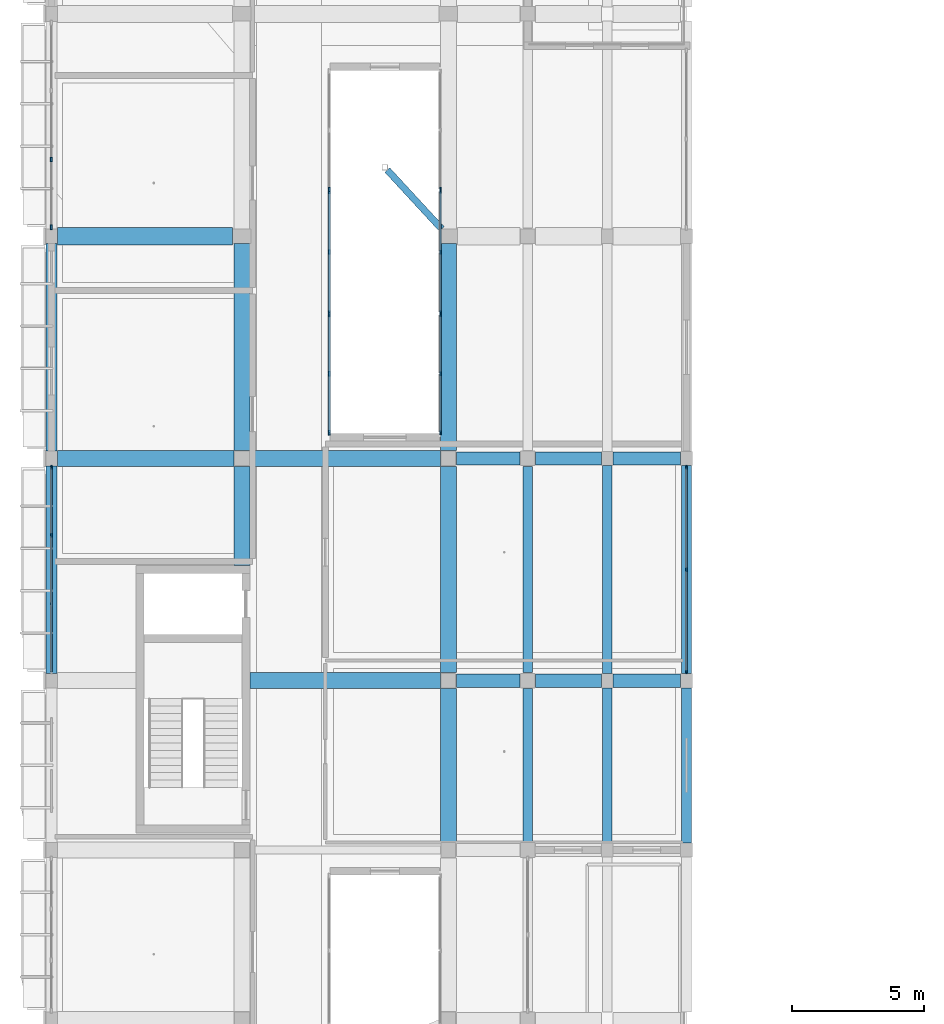
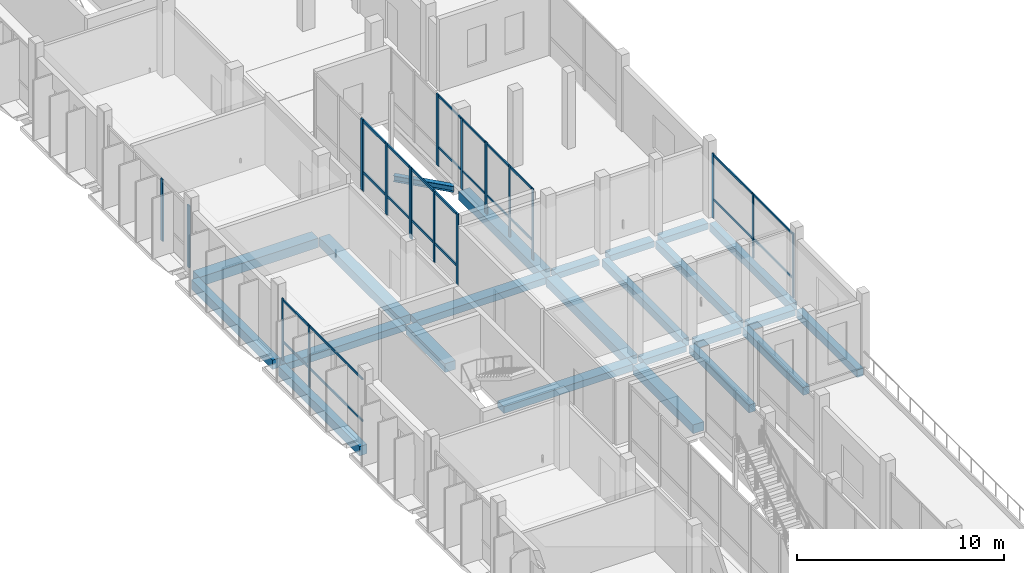
# One storey, part 21 of 95: 33 members, 24 beams, 9 elements without a shape of their own.
"""IFC4 building model written with IfcOpenShell, lengths in metres."""

from ifc_helpers import new_model, si_unit, derived_unit, direction, frame, origin, origin_2d, place, context, subcontext, project, spatial, rectangle, i_section, extrude, material, material_profile, profile_set, type_object, element, aggregate, save


model = new_model("IFC4")

# Units and contexts
model_context = context("Model", 3, precision=1e-05, world=origin(), true_north=direction((0.0, 1.0)))
body_context = subcontext(model_context, "Body", "Model", "MODEL_VIEW")
ifc_project = project(units=[si_unit("LENGTHUNIT", "METRE"), si_unit("AREAUNIT", "SQUARE_METRE"), si_unit("VOLUMEUNIT", "CUBIC_METRE"), si_unit("PLANEANGLEUNIT", "RADIAN"), si_unit("MASSUNIT", "GRAM", prefix="KILO"), derived_unit("THERMALTRANSMITTANCEUNIT", [(si_unit("POWERUNIT", "WATT"), 1), (si_unit("LENGTHUNIT", "METRE"), -2), (si_unit("THERMODYNAMICTEMPERATUREUNIT", "KELVIN"), -1)])], contexts=[model_context])

# Site, building, storey
site_placement = place(None, origin())
site = spatial("IfcSite", under=ifc_project, at=site_placement, CompositionType="ELEMENT")
building_placement = place(site_placement, origin())
building = spatial("IfcBuilding", under=site, at=building_placement, Name="Braskholm Square Health Centre", CompositionType="ELEMENT")
storey_placement = place(building_placement, frame((0.0, 0.0, 4.800048828125)))
storey = spatial("IfcBuildingStorey", under=building, at=storey_placement, Name="L02", CompositionType="ELEMENT", Elevation=4.800048828125)

# Curtain wall, members
ifc_material_1 = material(Name="Low-E triple insulating glass (VLT 0.64)", Category="glass")
curtain_wall_type_1 = type_object("IfcCurtainWallType", Name="UnitisedCurtainWall6200x3650", PredefinedType="NOTDEFINED", material=ifc_material_1)
curtain_wall_1_placement = place(storey_placement, origin())
curtain_wall_1 = element("IfcCurtainWall", 1, at=curtain_wall_1_placement, inside=storey, type_object=curtain_wall_type_1, Name="West Outer unitised curtain wall CW-L02-0010", PredefinedType="NOTDEFINED")
ifc_material_2 = material(Name="Architectural bronze anodised aluminium", Category="aluminium")
ifc_material_profile_1 = material_profile(ifc_material_2, rectangle(XDim=0.06494140625, YDim=0.14990234375, at=origin_2d()), Name="ALU-65X150")
ifc_profile_set_1 = profile_set([ifc_material_profile_1], Name="Architectural bronze anodised aluminium")
member_type_1 = type_object("IfcMemberType", Name="CurtainWallMullion65x150", PredefinedType="MULLION", material=ifc_profile_set_1)
member_1_placement = place(storey_placement, frame((4.199951171875, 63.463134765625, 0.0), z_axis=(0.0, 0.0, 1.0), x_axis=(1.0, 0.0, 0.0)))
member_1 = element("IfcMember", 2, at=member_1_placement, type_object=member_type_1, Name="CW-L02-0010 vertical mullion 1", PredefinedType="MULLION", context=body_context, shape_type="SweptSolid", body=[
    extrude(rectangle(XDim=0.06494140625, YDim=0.14990234375, at=origin_2d()), origin(), (0.0, 0.0, 1.0), 3.64990234375),
])
member_2_placement = place(storey_placement, frame((4.199951171875, 60.9033203125, 0.0), z_axis=(0.0, 0.0, 1.0), x_axis=(1.0, 0.0, 0.0)))
member_2 = element("IfcMember", 3, at=member_2_placement, type_object=member_type_1, Name="CW-L02-0010 vertical mullion 2", PredefinedType="MULLION", context=body_context, shape_type="SweptSolid", body=[
    extrude(rectangle(XDim=0.06494140625, YDim=0.14990234375, at=origin_2d()), origin(), (0.0, 0.0, 1.0), 3.64990234375),
])

curtain_wall_type_2 = type_object("IfcCurtainWallType", Name="UnitisedCurtainWall6200x3800", PredefinedType="NOTDEFINED", material=ifc_material_1)
curtain_wall_2_placement = place(storey_placement, origin())
curtain_wall_2 = element("IfcCurtainWall", 4, at=curtain_wall_2_placement, inside=storey, type_object=curtain_wall_type_2, Name="West Valley unitised curtain wall CW-L02-0088", PredefinedType="NOTDEFINED")
member_3_placement = place(storey_placement, frame((28.199951171875, 55.72705078125, 0.0), z_axis=(0.0, 0.0, 1.0), x_axis=(1.0, 0.0, 0.0)))
member_3 = element("IfcMember", 5, at=member_3_placement, type_object=member_type_1, Name="CW-L02-0088 vertical mullion 1", PredefinedType="MULLION", context=body_context, shape_type="SweptSolid", body=[
    extrude(rectangle(XDim=0.06494140625, YDim=0.14990234375, at=origin_2d()), origin(), (0.0, 0.0, 1.0), 3.7900390625),
])
member_4_placement = place(storey_placement, frame((28.199951171875, 59.60009765625, 0.0), z_axis=(0.0, 0.0, 1.0), x_axis=(1.0, 0.0, 0.0)))
member_4 = element("IfcMember", 6, at=member_4_placement, type_object=member_type_1, Name="CW-L02-0088 vertical mullion 2", PredefinedType="MULLION", context=body_context, shape_type="SweptSolid", body=[
    extrude(rectangle(XDim=0.06494140625, YDim=0.14990234375, at=origin_2d()), origin(), (0.0, 0.0, 1.0), 3.7900390625),
])
member_5_placement = place(storey_placement, frame((28.199951171875, 63.472900390625, 0.0), z_axis=(0.0, 0.0, 1.0), x_axis=(1.0, 0.0, 0.0)))
member_5 = element("IfcMember", 7, at=member_5_placement, type_object=member_type_1, Name="CW-L02-0088 vertical mullion 3", PredefinedType="MULLION", context=body_context, shape_type="SweptSolid", body=[
    extrude(rectangle(XDim=0.06494140625, YDim=0.14990234375, at=origin_2d()), origin(), (0.0, 0.0, 1.0), 3.7900390625),
])

curtain_wall_type_3 = type_object("IfcCurtainWallType", Name="UnitisedCurtainWall4800x4100", PredefinedType="NOTDEFINED", material=ifc_material_1)
curtain_wall_3_placement = place(storey_placement, origin())
curtain_wall_3 = element("IfcCurtainWall", 8, at=curtain_wall_3_placement, inside=storey, type_object=curtain_wall_type_3, Name="WC2 Court E unitised curtain wall CW-L02-0292", PredefinedType="NOTDEFINED")
member_6_placement = place(storey_placement, frame((18.89990234375, 69.23486328125, 0.0), z_axis=(0.0, 0.0, 1.0), x_axis=(1.0, 0.0, 0.0)))
member_6 = element("IfcMember", 9, at=member_6_placement, type_object=member_type_1, Name="CW-L02-0292 vertical mullion 1", PredefinedType="MULLION", context=body_context, shape_type="SweptSolid", body=[
    extrude(rectangle(XDim=0.06494140625, YDim=0.14990234375, at=origin_2d()), origin(), (0.0, 0.0, 1.0), 4.199951171875),
])
member_7_placement = place(storey_placement, frame((18.89990234375, 67.0009765625, 0.0), z_axis=(0.0, 0.0, 1.0), x_axis=(1.0, 0.0, 0.0)))
member_7 = element("IfcMember", 10, at=member_7_placement, type_object=member_type_1, Name="CW-L02-0292 vertical mullion 2", PredefinedType="MULLION", context=body_context, shape_type="SweptSolid", body=[
    extrude(rectangle(XDim=0.06494140625, YDim=0.14990234375, at=origin_2d()), origin(), (0.0, 0.0, 1.0), 4.199951171875),
])
member_8_placement = place(storey_placement, frame((18.89990234375, 64.76708984375, 0.0), z_axis=(0.0, 0.0, 1.0), x_axis=(1.0, 0.0, 0.0)))
member_8 = element("IfcMember", 11, at=member_8_placement, type_object=member_type_1, Name="CW-L02-0292 vertical mullion 3", PredefinedType="MULLION", context=body_context, shape_type="SweptSolid", body=[
    extrude(rectangle(XDim=0.06494140625, YDim=0.14990234375, at=origin_2d()), origin(), (0.0, 0.0, 1.0), 4.199951171875),
])

curtain_wall_4_placement = place(storey_placement, origin())
curtain_wall_4 = element("IfcCurtainWall", 12, at=curtain_wall_4_placement, inside=storey, type_object=curtain_wall_type_3, Name="WC2 Court E unitised curtain wall CW-L02-0294", PredefinedType="NOTDEFINED")
member_9_placement = place(storey_placement, frame((18.89990234375, 73.900146484375, 0.0), z_axis=(0.0, 0.0, 1.0), x_axis=(1.0, 0.0, 0.0)))
member_9 = element("IfcMember", 13, at=member_9_placement, type_object=member_type_1, Name="CW-L02-0294 vertical mullion 1", PredefinedType="MULLION", context=body_context, shape_type="SweptSolid", body=[
    extrude(rectangle(XDim=0.06494140625, YDim=0.14990234375, at=origin_2d()), origin(), (0.0, 0.0, 1.0), 4.199951171875),
])
member_10_placement = place(storey_placement, frame((18.89990234375, 71.60009765625, 0.0), z_axis=(0.0, 0.0, 1.0), x_axis=(1.0, 0.0, 0.0)))
member_10 = element("IfcMember", 14, at=member_10_placement, type_object=member_type_1, Name="CW-L02-0294 vertical mullion 2", PredefinedType="MULLION", context=body_context, shape_type="SweptSolid", body=[
    extrude(rectangle(XDim=0.06494140625, YDim=0.14990234375, at=origin_2d()), origin(), (0.0, 0.0, 1.0), 4.199951171875),
])
member_11_placement = place(storey_placement, frame((18.89990234375, 69.2998046875, 0.0), z_axis=(0.0, 0.0, 1.0), x_axis=(1.0, 0.0, 0.0)))
member_11 = element("IfcMember", 15, at=member_11_placement, type_object=member_type_1, Name="CW-L02-0294 vertical mullion 3", PredefinedType="MULLION", context=body_context, shape_type="SweptSolid", body=[
    extrude(rectangle(XDim=0.06494140625, YDim=0.14990234375, at=origin_2d()), origin(), (0.0, 0.0, 1.0), 4.199951171875),
])

# Curtain wall, member
curtain_wall_5_placement = place(storey_placement, origin())
curtain_wall_5 = element("IfcCurtainWall", 16, at=curtain_wall_5_placement, inside=storey, type_object=curtain_wall_type_3, Name="WC2 Court E unitised curtain wall CW-L02-0296", PredefinedType="NOTDEFINED")
member_12_placement = place(storey_placement, frame((18.89990234375, 73.965087890625, 0.0), z_axis=(0.0, 0.0, 1.0), x_axis=(1.0, 0.0, 0.0)))
member_12 = element("IfcMember", 17, at=member_12_placement, type_object=member_type_1, Name="CW-L02-0296 vertical mullion 3", PredefinedType="MULLION", context=body_context, shape_type="SweptSolid", body=[
    extrude(rectangle(XDim=0.06494140625, YDim=0.14990234375, at=origin_2d()), origin(), (0.0, 0.0, 1.0), 4.199951171875),
])
aggregate(curtain_wall_5, [member_12])

# Curtain wall, members
curtain_wall_6_placement = place(storey_placement, origin())
curtain_wall_6 = element("IfcCurtainWall", 18, at=curtain_wall_6_placement, inside=storey, type_object=curtain_wall_type_1, Name="West Outer unitised curtain wall CW-L02-0011", PredefinedType="NOTDEFINED")
ifc_material_profile_2 = material_profile(ifc_material_2, rectangle(XDim=0.074951171875, YDim=0.179931640625, at=origin_2d()), Name="ALU-75X180")
ifc_profile_set_2 = profile_set([ifc_material_profile_2], Name="Architectural bronze anodised aluminium")
member_type_2 = type_object("IfcMemberType", Name="CurtainWallMullion75x180", PredefinedType="MULLION", material=ifc_profile_set_2)
member_13_placement = place(storey_placement, frame((4.199951171875, 75.0966796875, 0.0), z_axis=(0.0, 0.0, 1.0), x_axis=(1.0, 0.0, 0.0)))
member_13 = element("IfcMember", 19, at=member_13_placement, type_object=member_type_2, Name="CW-L02-0011 vertical mullion 3", PredefinedType="MULLION", context=body_context, shape_type="SweptSolid", body=[
    extrude(rectangle(XDim=0.074951171875, YDim=0.179931640625, at=origin_2d()), origin(), (0.0, 0.0, 1.0), 3.64990234375),
])
member_14_placement = place(storey_placement, frame((4.199951171875, 72.536865234375, 0.0), z_axis=(0.0, 0.0, 1.0), x_axis=(1.0, 0.0, 0.0)))
member_14 = element("IfcMember", 20, at=member_14_placement, type_object=member_type_2, Name="CW-L02-0011 vertical mullion 4", PredefinedType="MULLION", context=body_context, shape_type="SweptSolid", body=[
    extrude(rectangle(XDim=0.074951171875, YDim=0.179931640625, at=origin_2d()), origin(), (0.0, 0.0, 1.0), 3.64990234375),
])
aggregate(curtain_wall_6, [member_13, member_14])

curtain_wall_7_placement = place(storey_placement, origin())
curtain_wall_7 = element("IfcCurtainWall", 21, at=curtain_wall_7_placement, inside=storey, type_object=curtain_wall_type_3, Name="WC2 Court W unitised curtain wall CW-L02-0291", PredefinedType="NOTDEFINED")
member_15_placement = place(storey_placement, frame((14.699951171875, 64.76708984375, 0.0), z_axis=(0.0, 0.0, 1.0), x_axis=(1.0, 0.0, 0.0)))
member_15 = element("IfcMember", 22, at=member_15_placement, type_object=member_type_2, Name="CW-L02-0291 vertical mullion 1", PredefinedType="MULLION", context=body_context, shape_type="SweptSolid", body=[
    extrude(rectangle(XDim=0.074951171875, YDim=0.179931640625, at=origin_2d()), origin(), (0.0, 0.0, 1.0), 4.199951171875),
])
member_16_placement = place(storey_placement, frame((14.699951171875, 67.0009765625, 0.0), z_axis=(0.0, 0.0, 1.0), x_axis=(1.0, 0.0, 0.0)))
member_16 = element("IfcMember", 23, at=member_16_placement, type_object=member_type_2, Name="CW-L02-0291 vertical mullion 2", PredefinedType="MULLION", context=body_context, shape_type="SweptSolid", body=[
    extrude(rectangle(XDim=0.074951171875, YDim=0.179931640625, at=origin_2d()), origin(), (0.0, 0.0, 1.0), 4.199951171875),
])
member_17_placement = place(storey_placement, frame((14.699951171875, 69.23486328125, 0.0), z_axis=(0.0, 0.0, 1.0), x_axis=(1.0, 0.0, 0.0)))
member_17 = element("IfcMember", 24, at=member_17_placement, type_object=member_type_2, Name="CW-L02-0291 vertical mullion 3", PredefinedType="MULLION", context=body_context, shape_type="SweptSolid", body=[
    extrude(rectangle(XDim=0.074951171875, YDim=0.179931640625, at=origin_2d()), origin(), (0.0, 0.0, 1.0), 4.199951171875),
])

curtain_wall_8_placement = place(storey_placement, origin())
curtain_wall_8 = element("IfcCurtainWall", 25, at=curtain_wall_8_placement, inside=storey, type_object=curtain_wall_type_3, Name="WC2 Court W unitised curtain wall CW-L02-0293", PredefinedType="NOTDEFINED")
member_18_placement = place(storey_placement, frame((14.699951171875, 69.2998046875, 0.0), z_axis=(0.0, 0.0, 1.0), x_axis=(1.0, 0.0, 0.0)))
member_18 = element("IfcMember", 26, at=member_18_placement, type_object=member_type_2, Name="CW-L02-0293 vertical mullion 1", PredefinedType="MULLION", context=body_context, shape_type="SweptSolid", body=[
    extrude(rectangle(XDim=0.074951171875, YDim=0.179931640625, at=origin_2d()), origin(), (0.0, 0.0, 1.0), 4.199951171875),
])
member_19_placement = place(storey_placement, frame((14.699951171875, 71.60009765625, 0.0), z_axis=(0.0, 0.0, 1.0), x_axis=(1.0, 0.0, 0.0)))
member_19 = element("IfcMember", 27, at=member_19_placement, type_object=member_type_2, Name="CW-L02-0293 vertical mullion 2", PredefinedType="MULLION", context=body_context, shape_type="SweptSolid", body=[
    extrude(rectangle(XDim=0.074951171875, YDim=0.179931640625, at=origin_2d()), origin(), (0.0, 0.0, 1.0), 4.199951171875),
])
member_20_placement = place(storey_placement, frame((14.699951171875, 73.900146484375, 0.0), z_axis=(0.0, 0.0, 1.0), x_axis=(1.0, 0.0, 0.0)))
member_20 = element("IfcMember", 28, at=member_20_placement, type_object=member_type_2, Name="CW-L02-0293 vertical mullion 3", PredefinedType="MULLION", context=body_context, shape_type="SweptSolid", body=[
    extrude(rectangle(XDim=0.074951171875, YDim=0.179931640625, at=origin_2d()), origin(), (0.0, 0.0, 1.0), 4.199951171875),
])

# Curtain wall, member
curtain_wall_9_placement = place(storey_placement, origin())
curtain_wall_9 = element("IfcCurtainWall", 29, at=curtain_wall_9_placement, inside=storey, type_object=curtain_wall_type_3, Name="WC2 Court W unitised curtain wall CW-L02-0295", PredefinedType="NOTDEFINED")
member_21_placement = place(storey_placement, frame((14.699951171875, 73.965087890625, 0.0), z_axis=(0.0, 0.0, 1.0), x_axis=(1.0, 0.0, 0.0)))
member_21 = element("IfcMember", 30, at=member_21_placement, type_object=member_type_2, Name="CW-L02-0295 vertical mullion 1", PredefinedType="MULLION", context=body_context, shape_type="SweptSolid", body=[
    extrude(rectangle(XDim=0.074951171875, YDim=0.179931640625, at=origin_2d()), origin(), (0.0, 0.0, 1.0), 4.199951171875),
])
aggregate(curtain_wall_9, [member_21])

# Member
ifc_material_profile_3 = material_profile(ifc_material_2, rectangle(XDim=0.06494140625, YDim=0.1201171875, at=origin_2d()), Name="ALU-65X120")
ifc_profile_set_3 = profile_set([ifc_material_profile_3], Name="Architectural bronze anodised aluminium")
member_type_3 = type_object("IfcMemberType", Name="CurtainWallTransom65x120", PredefinedType="USERDEFINED", material=ifc_profile_set_3)
member_22_placement = place(storey_placement, frame((4.199951171875, 63.465087890625, 1.119873046875), z_axis=(0.0, -1.0, 0.0), x_axis=(1.0, 0.0, 0.0)))
member_22 = element("IfcMember", 31, at=member_22_placement, type_object=member_type_3, Name="CW-L02-0010 horizontal transom 1", ObjectType="TRANSOM", PredefinedType="USERDEFINED", context=body_context, shape_type="SweptSolid", body=[
    extrude(rectangle(XDim=0.06494140625, YDim=0.1201171875, at=origin_2d()), origin(), (0.0, 0.0, 1.0), 7.72998046875),
])

member_23_placement = place(storey_placement, frame((4.199951171875, 63.465087890625, 3.579833984375), z_axis=(0.0, -1.0, 0.0), x_axis=(1.0, 0.0, 0.0)))
member_23 = element("IfcMember", 32, at=member_23_placement, type_object=member_type_3, Name="CW-L02-0010 horizontal transom 2", ObjectType="TRANSOM", PredefinedType="USERDEFINED", context=body_context, shape_type="SweptSolid", body=[
    extrude(rectangle(XDim=0.06494140625, YDim=0.1201171875, at=origin_2d()), origin(), (0.0, 0.0, 1.0), 7.72998046875),
])

aggregate(curtain_wall_1, [member_1, member_2, member_22, member_23])

member_24_placement = place(storey_placement, frame((28.199951171875, 55.72509765625, 1.119873046875), z_axis=(0.0, 1.0, 0.0), x_axis=(-1.0, 0.0, 0.0)))
member_24 = element("IfcMember", 33, at=member_24_placement, type_object=member_type_3, Name="CW-L02-0088 horizontal transom 1", ObjectType="TRANSOM", PredefinedType="USERDEFINED", context=body_context, shape_type="SweptSolid", body=[
    extrude(rectangle(XDim=0.06494140625, YDim=0.1201171875, at=origin_2d()), origin(), (0.0, 0.0, 1.0), 7.75),
])

member_25_placement = place(storey_placement, frame((28.199951171875, 55.72509765625, 3.719970703125), z_axis=(0.0, 1.0, 0.0), x_axis=(-1.0, 0.0, 0.0)))
member_25 = element("IfcMember", 34, at=member_25_placement, type_object=member_type_3, Name="CW-L02-0088 horizontal transom 2", ObjectType="TRANSOM", PredefinedType="USERDEFINED", context=body_context, shape_type="SweptSolid", body=[
    extrude(rectangle(XDim=0.06494140625, YDim=0.1201171875, at=origin_2d()), origin(), (0.0, 0.0, 1.0), 7.75),
])

aggregate(curtain_wall_2, [member_3, member_4, member_5, member_24, member_25])

member_26_placement = place(storey_placement, frame((18.89990234375, 69.217041015625, 1.119873046875), z_axis=(0.0, -1.0, 0.0), x_axis=(1.0, 0.0, 0.0)))
member_26 = element("IfcMember", 35, at=member_26_placement, type_object=member_type_3, Name="CW-L02-0292 horizontal transom 1", ObjectType="TRANSOM", PredefinedType="USERDEFINED", context=body_context, shape_type="SweptSolid", body=[
    extrude(rectangle(XDim=0.06494140625, YDim=0.1201171875, at=origin_2d()), origin(), (0.0, 0.0, 1.0), 4.43212890625),
])

member_27_placement = place(storey_placement, frame((18.89990234375, 69.217041015625, 4.1298828125), z_axis=(0.0, -1.0, 0.0), x_axis=(1.0, 0.0, 0.0)))
member_27 = element("IfcMember", 36, at=member_27_placement, type_object=member_type_3, Name="CW-L02-0292 horizontal transom 2", ObjectType="TRANSOM", PredefinedType="USERDEFINED", context=body_context, shape_type="SweptSolid", body=[
    extrude(rectangle(XDim=0.06494140625, YDim=0.1201171875, at=origin_2d()), origin(), (0.0, 0.0, 1.0), 4.43212890625),
])

aggregate(curtain_wall_3, [member_6, member_7, member_8, member_26, member_27])

member_28_placement = place(storey_placement, frame((18.89990234375, 73.883056640625, 1.119873046875), z_axis=(0.0, -1.0, 0.0), x_axis=(1.0, 0.0, 0.0)))
member_28 = element("IfcMember", 37, at=member_28_placement, type_object=member_type_3, Name="CW-L02-0294 horizontal transom 1", ObjectType="TRANSOM", PredefinedType="USERDEFINED", context=body_context, shape_type="SweptSolid", body=[
    extrude(rectangle(XDim=0.06494140625, YDim=0.1201171875, at=origin_2d()), origin(), (0.0, 0.0, 1.0), 4.566162109375),
])

member_29_placement = place(storey_placement, frame((18.89990234375, 73.883056640625, 4.1298828125), z_axis=(0.0, -1.0, 0.0), x_axis=(1.0, 0.0, 0.0)))
member_29 = element("IfcMember", 38, at=member_29_placement, type_object=member_type_3, Name="CW-L02-0294 horizontal transom 2", ObjectType="TRANSOM", PredefinedType="USERDEFINED", context=body_context, shape_type="SweptSolid", body=[
    extrude(rectangle(XDim=0.06494140625, YDim=0.1201171875, at=origin_2d()), origin(), (0.0, 0.0, 1.0), 4.566162109375),
])

aggregate(curtain_wall_4, [member_9, member_10, member_11, member_28, member_29])

ifc_material_profile_4 = material_profile(ifc_material_2, rectangle(XDim=0.074951171875, YDim=0.139892578125, at=origin_2d()), Name="ALU-75X140")
ifc_profile_set_4 = profile_set([ifc_material_profile_4], Name="Architectural bronze anodised aluminium")
member_type_4 = type_object("IfcMemberType", Name="CurtainWallTransom75x140", PredefinedType="USERDEFINED", material=ifc_profile_set_4)
member_30_placement = place(storey_placement, frame((14.699951171875, 64.784912109375, 1.119873046875), z_axis=(0.0, 1.0, 0.0), x_axis=(-1.0, 0.0, 0.0)))
member_30 = element("IfcMember", 39, at=member_30_placement, type_object=member_type_4, Name="CW-L02-0291 horizontal transom 1", ObjectType="TRANSOM", PredefinedType="USERDEFINED", context=body_context, shape_type="SweptSolid", body=[
    extrude(rectangle(XDim=0.074951171875, YDim=0.139892578125, at=origin_2d()), origin(), (0.0, 0.0, 1.0), 4.43212890625),
])

member_31_placement = place(storey_placement, frame((14.699951171875, 64.784912109375, 4.1298828125), z_axis=(0.0, 1.0, 0.0), x_axis=(-1.0, 0.0, 0.0)))
member_31 = element("IfcMember", 40, at=member_31_placement, type_object=member_type_4, Name="CW-L02-0291 horizontal transom 2", ObjectType="TRANSOM", PredefinedType="USERDEFINED", context=body_context, shape_type="SweptSolid", body=[
    extrude(rectangle(XDim=0.074951171875, YDim=0.139892578125, at=origin_2d()), origin(), (0.0, 0.0, 1.0), 4.43212890625),
])

aggregate(curtain_wall_7, [member_15, member_16, member_17, member_30, member_31])

member_32_placement = place(storey_placement, frame((14.699951171875, 69.31689453125, 1.119873046875), z_axis=(0.0, 1.0, 0.0), x_axis=(-1.0, 0.0, 0.0)))
member_32 = element("IfcMember", 41, at=member_32_placement, type_object=member_type_4, Name="CW-L02-0293 horizontal transom 1", ObjectType="TRANSOM", PredefinedType="USERDEFINED", context=body_context, shape_type="SweptSolid", body=[
    extrude(rectangle(XDim=0.074951171875, YDim=0.139892578125, at=origin_2d()), origin(), (0.0, 0.0, 1.0), 4.566162109375),
])

member_33_placement = place(storey_placement, frame((14.699951171875, 69.31689453125, 4.1298828125), z_axis=(0.0, 1.0, 0.0), x_axis=(-1.0, 0.0, 0.0)))
member_33 = element("IfcMember", 42, at=member_33_placement, type_object=member_type_4, Name="CW-L02-0293 horizontal transom 2", ObjectType="TRANSOM", PredefinedType="USERDEFINED", context=body_context, shape_type="SweptSolid", body=[
    extrude(rectangle(XDim=0.074951171875, YDim=0.139892578125, at=origin_2d()), origin(), (0.0, 0.0, 1.0), 4.566162109375),
])

aggregate(curtain_wall_8, [member_18, member_19, member_20, member_32, member_33])

# Beams
ifc_material_3 = material(Name="Concrete C35/45 (f'c = 35 MPa)", Category="concrete")
ifc_material_profile_5 = material_profile(ifc_material_3, rectangle(XDim=0.5, YDim=0.360107421875, at=origin_2d()), Name="RCB-500X360")
ifc_profile_set_5 = profile_set([ifc_material_profile_5], Name="Concrete C35/45 (f'c = 35 MPa)")
beam_type_1 = type_object("IfcBeamType", Name="PrimaryBandBeam500x360", PredefinedType="BEAM", material=ifc_profile_set_5)
beam_1_placement = place(storey_placement, frame((19.5, 55.39990234375, -0.47998046875), z_axis=(1.0, 0.0, 0.0), x_axis=(0.0, 1.0, 0.0)))
element("IfcBeam", 43, at=beam_1_placement, inside=storey, type_object=beam_type_1, Name="Beam 3-4/J L02", PredefinedType="BEAM", context=body_context, shape_type="SweptSolid", body=[
    extrude(rectangle(XDim=0.5, YDim=0.360107421875, at=origin_2d()), origin(), (0.0, 0.0, 1.0), 2.39990234375),
])
beam_2_placement = place(storey_placement, frame((22.5, 55.39990234375, -0.47998046875), z_axis=(1.0, 0.0, 0.0), x_axis=(0.0, 1.0, 0.0)))
element("IfcBeam", 44, at=beam_2_placement, inside=storey, type_object=beam_type_1, Name="Beam 4-5/J L02", PredefinedType="BEAM", context=body_context, shape_type="SweptSolid", body=[
    extrude(rectangle(XDim=0.5, YDim=0.360107421875, at=origin_2d()), origin(), (0.0, 0.0, 1.0), 2.47998046875),
])
beam_3_placement = place(storey_placement, frame((25.419921875, 55.39990234375, -0.47998046875), z_axis=(1.0, 0.0, 0.0), x_axis=(0.0, 1.0, 0.0)))
element("IfcBeam", 45, at=beam_3_placement, inside=storey, type_object=beam_type_1, Name="Beam 5-6/J L02", PredefinedType="BEAM", context=body_context, shape_type="SweptSolid", body=[
    extrude(rectangle(XDim=0.5, YDim=0.360107421875, at=origin_2d()), origin(), (0.0, 0.0, 1.0), 2.56005859375),
])
beam_4_placement = place(storey_placement, frame((19.5, 63.800048828125, -0.47998046875), z_axis=(1.0, 0.0, 0.0), x_axis=(0.0, 1.0, 0.0)))
element("IfcBeam", 46, at=beam_4_placement, inside=storey, type_object=beam_type_1, Name="Beam 3-4/K L02", PredefinedType="BEAM", context=body_context, shape_type="SweptSolid", body=[
    extrude(rectangle(XDim=0.5, YDim=0.360107421875, at=origin_2d()), origin(), (0.0, 0.0, 1.0), 2.39990234375),
])
beam_5_placement = place(storey_placement, frame((22.5, 63.800048828125, -0.47998046875), z_axis=(1.0, 0.0, 0.0), x_axis=(0.0, 1.0, 0.0)))
element("IfcBeam", 47, at=beam_5_placement, inside=storey, type_object=beam_type_1, Name="Beam 4-5/K L02", PredefinedType="BEAM", context=body_context, shape_type="SweptSolid", body=[
    extrude(rectangle(XDim=0.5, YDim=0.360107421875, at=origin_2d()), origin(), (0.0, 0.0, 1.0), 2.47998046875),
])
beam_6_placement = place(storey_placement, frame((25.419921875, 63.800048828125, -0.47998046875), z_axis=(1.0, 0.0, 0.0), x_axis=(0.0, 1.0, 0.0)))
element("IfcBeam", 48, at=beam_6_placement, inside=storey, type_object=beam_type_1, Name="Beam 5-6/K L02", PredefinedType="BEAM", context=body_context, shape_type="SweptSolid", body=[
    extrude(rectangle(XDim=0.5, YDim=0.360107421875, at=origin_2d()), origin(), (0.0, 0.0, 1.0), 2.56005859375),
])
ifc_material_profile_6 = material_profile(ifc_material_3, rectangle(XDim=0.60009765625, YDim=0.39990234375, at=origin_2d()), Name="RCB-600X400")
ifc_profile_set_6 = profile_set([ifc_material_profile_6], Name="Concrete C35/45 (f'c = 35 MPa)")
beam_type_2 = type_object("IfcBeamType", Name="PrimaryBandBeam600x400", PredefinedType="BEAM", material=ifc_profile_set_6)
beam_7_placement = place(storey_placement, frame((11.699951171875, 55.39990234375, -0.5), z_axis=(1.0, 0.0, 0.0), x_axis=(0.0, 1.0, 0.0)))
element("IfcBeam", 49, at=beam_7_placement, inside=storey, type_object=beam_type_2, Name="Beam 1-3/J L02", PredefinedType="BEAM", context=body_context, shape_type="SweptSolid", body=[
    extrude(rectangle(XDim=0.60009765625, YDim=0.39990234375, at=origin_2d()), origin(), (0.0, 0.0, 1.0), 7.199951171875),
])
beam_8_placement = place(storey_placement, frame((4.429931640625, 63.800048828125, -0.5), z_axis=(1.0, 0.0, 0.0), x_axis=(0.0, 1.0, 0.0)))
element("IfcBeam", 50, at=beam_8_placement, inside=storey, type_object=beam_type_2, Name="Beam 1-2/K L02", PredefinedType="BEAM", context=body_context, shape_type="SweptSolid", body=[
    extrude(rectangle(XDim=0.60009765625, YDim=0.39990234375, at=origin_2d()), origin(), (0.0, 0.0, 1.0), 6.670166015625),
])
beam_9_placement = place(storey_placement, frame((11.699951171875, 63.800048828125, -0.5), z_axis=(1.0, 0.0, 0.0), x_axis=(0.0, 1.0, 0.0)))
element("IfcBeam", 51, at=beam_9_placement, inside=storey, type_object=beam_type_2, Name="Beam 2-3/K L02", PredefinedType="BEAM", context=body_context, shape_type="SweptSolid", body=[
    extrude(rectangle(XDim=0.60009765625, YDim=0.39990234375, at=origin_2d()), origin(), (0.0, 0.0, 1.0), 7.199951171875),
])
ifc_material_4 = material(Name="Concrete C40/50 (f'c = 40 MPa)", Category="concrete")
ifc_material_profile_7 = material_profile(ifc_material_4, rectangle(XDim=0.64990234375, YDim=0.550048828125, at=origin_2d()), Name="RCB-650X550")
ifc_profile_set_7 = profile_set([ifc_material_profile_7], Name="Concrete C40/50 (f'c = 40 MPa)")
beam_type_3 = type_object("IfcBeamType", Name="PrimaryGirderImaging650x550", PredefinedType="BEAM", material=ifc_profile_set_7)
beam_10_placement = place(storey_placement, frame((4.429931640625, 72.199951171875, -0.574951171875), z_axis=(1.0, 0.0, 0.0), x_axis=(0.0, 1.0, 0.0)))
element("IfcBeam", 52, at=beam_10_placement, inside=storey, type_object=beam_type_3, Name="Beam 1-2/L L02", PredefinedType="BEAM", context=body_context, shape_type="SweptSolid", body=[
    extrude(rectangle(XDim=0.64990234375, YDim=0.550048828125, at=origin_2d()), origin(), (0.0, 0.0, 1.0), 6.6201171875),
])
ifc_material_profile_8 = material_profile(ifc_material_4, rectangle(XDim=0.60009765625, YDim=0.52001953125, at=origin_2d()), Name="RCB-600X520")
ifc_profile_set_8 = profile_set([ifc_material_profile_8], Name="Concrete C40/50 (f'c = 40 MPa)")
beam_type_4 = type_object("IfcBeamType", Name="PrimaryGirderSurgery600x520", PredefinedType="BEAM", material=ifc_profile_set_8)
beam_11_placement = place(storey_placement, frame((11.39990234375, 59.75, -0.64013671875), z_axis=(0.0, 1.0, 0.0), x_axis=(-1.0, 0.0, 0.0)))
element("IfcBeam", 53, at=beam_11_placement, inside=storey, type_object=beam_type_4, Name="Beam 2/H-K L02", PredefinedType="BEAM", context=body_context, shape_type="SweptSolid", body=[
    extrude(rectangle(XDim=0.60009765625, YDim=0.52001953125, at=origin_2d()), origin(), (0.0, 0.0, 1.0), 3.75),
])
beam_12_placement = place(storey_placement, frame((11.39990234375, 64.10009765625, -0.56005859375), z_axis=(0.0, 1.0, 0.0), x_axis=(-1.0, 0.0, 0.0)))
element("IfcBeam", 54, at=beam_12_placement, inside=storey, type_object=beam_type_4, Name="Beam 2/K-L L02", PredefinedType="BEAM", context=body_context, shape_type="SweptSolid", body=[
    extrude(rectangle(XDim=0.60009765625, YDim=0.52001953125, at=origin_2d()), origin(), (0.0, 0.0, 1.0), 7.824951171875),
])
beam_13_placement = place(storey_placement, frame((19.199951171875, 49.300048828125, -0.64013671875), z_axis=(0.0, 1.0, 0.0), x_axis=(-1.0, 0.0, 0.0)))
element("IfcBeam", 55, at=beam_13_placement, inside=storey, type_object=beam_type_4, Name="Beam 3/H-J L02", PredefinedType="BEAM", context=body_context, shape_type="SweptSolid", body=[
    extrude(rectangle(XDim=0.60009765625, YDim=0.52001953125, at=origin_2d()), origin(), (0.0, 0.0, 1.0), 5.800048828125),
])
beam_14_placement = place(storey_placement, frame((19.199951171875, 55.699951171875, -0.56005859375), z_axis=(0.0, 1.0, 0.0), x_axis=(-1.0, 0.0, 0.0)))
element("IfcBeam", 56, at=beam_14_placement, inside=storey, type_object=beam_type_4, Name="Beam 3/J-K L02", PredefinedType="BEAM", context=body_context, shape_type="SweptSolid", body=[
    extrude(rectangle(XDim=0.60009765625, YDim=0.52001953125, at=origin_2d()), origin(), (0.0, 0.0, 1.0), 7.800048828125),
])
beam_15_placement = place(storey_placement, frame((19.199951171875, 64.10009765625, -0.56005859375), z_axis=(0.0, 1.0, 0.0), x_axis=(-1.0, 0.0, 0.0)))
element("IfcBeam", 57, at=beam_15_placement, inside=storey, type_object=beam_type_4, Name="Beam 3/K-L L02", PredefinedType="BEAM", context=body_context, shape_type="SweptSolid", body=[
    extrude(rectangle(XDim=0.60009765625, YDim=0.52001953125, at=origin_2d()), origin(), (0.0, 0.0, 1.0), 7.824951171875),
])
ifc_material_5 = material(Name="Precast concrete C40/50 architectural white", Category="concrete")
ifc_material_profile_9 = material_profile(ifc_material_5, rectangle(XDim=0.419921875, YDim=0.550048828125, at=origin_2d()), Name="RCB-420X550")
ifc_profile_set_9 = profile_set([ifc_material_profile_9], Name="Precast concrete C40/50 architectural white")
beam_type_5 = type_object("IfcBeamType", Name="SpandrelPrecastLedge420x550", PredefinedType="SPANDREL", material=ifc_profile_set_9)
beam_16_placement = place(storey_placement, frame((4.199951171875, 55.679931640625, -0.574951171875), z_axis=(0.0, 1.0, 0.0), x_axis=(-1.0, 0.0, 0.0)))
element("IfcBeam", 58, at=beam_16_placement, inside=storey, type_object=beam_type_5, Name="Beam 1/J-K L02", PredefinedType="SPANDREL", context=body_context, shape_type="SweptSolid", body=[
    extrude(rectangle(XDim=0.419921875, YDim=0.550048828125, at=origin_2d()), origin(), (0.0, 0.0, 1.0), 7.840087890625),
])
beam_17_placement = place(storey_placement, frame((4.199951171875, 64.080078125, -0.574951171875), z_axis=(0.0, 1.0, 0.0), x_axis=(-1.0, 0.0, 0.0)))
element("IfcBeam", 59, at=beam_17_placement, inside=storey, type_object=beam_type_5, Name="Beam 1/K-L L02", PredefinedType="SPANDREL", context=body_context, shape_type="SweptSolid", body=[
    extrude(rectangle(XDim=0.419921875, YDim=0.550048828125, at=origin_2d()), origin(), (0.0, 0.0, 1.0), 7.83984375),
])
ifc_material_profile_10 = material_profile(ifc_material_5, rectangle(XDim=0.360107421875, YDim=0.4599609375, at=origin_2d()), Name="RCB-360X460")
ifc_profile_set_10 = profile_set([ifc_material_profile_10], Name="Precast concrete C40/50 architectural white")
beam_type_6 = type_object("IfcBeamType", Name="SpandrelTerraceEdge360x460", PredefinedType="SPANDREL", material=ifc_profile_set_10)
beam_18_placement = place(storey_placement, frame((22.199951171875, 49.300048828125, -0.530029296875), z_axis=(0.0, 1.0, 0.0), x_axis=(-1.0, 0.0, 0.0)))
element("IfcBeam", 60, at=beam_18_placement, inside=storey, type_object=beam_type_6, Name="Beam 4/H-J L02", PredefinedType="SPANDREL", context=body_context, shape_type="SweptSolid", body=[
    extrude(rectangle(XDim=0.360107421875, YDim=0.4599609375, at=origin_2d()), origin(), (0.0, 0.0, 1.0), 5.800048828125),
])
beam_19_placement = place(storey_placement, frame((22.199951171875, 55.699951171875, -0.530029296875), z_axis=(0.0, 1.0, 0.0), x_axis=(-1.0, 0.0, 0.0)))
element("IfcBeam", 61, at=beam_19_placement, inside=storey, type_object=beam_type_6, Name="Beam 4/J-K L02", PredefinedType="SPANDREL", context=body_context, shape_type="SweptSolid", body=[
    extrude(rectangle(XDim=0.360107421875, YDim=0.4599609375, at=origin_2d()), origin(), (0.0, 0.0, 1.0), 7.800048828125),
])
beam_20_placement = place(storey_placement, frame((25.199951171875, 49.27001953125, -0.530029296875), z_axis=(0.0, 1.0, 0.0), x_axis=(-1.0, 0.0, 0.0)))
element("IfcBeam", 62, at=beam_20_placement, inside=storey, type_object=beam_type_6, Name="Beam 5/H-J L02", PredefinedType="SPANDREL", context=body_context, shape_type="SweptSolid", body=[
    extrude(rectangle(XDim=0.360107421875, YDim=0.4599609375, at=origin_2d()), origin(), (0.0, 0.0, 1.0), 5.85986328125),
])
beam_21_placement = place(storey_placement, frame((25.199951171875, 55.669921875, -0.530029296875), z_axis=(0.0, 1.0, 0.0), x_axis=(-1.0, 0.0, 0.0)))
element("IfcBeam", 63, at=beam_21_placement, inside=storey, type_object=beam_type_6, Name="Beam 5/J-K L02", PredefinedType="SPANDREL", context=body_context, shape_type="SweptSolid", body=[
    extrude(rectangle(XDim=0.360107421875, YDim=0.4599609375, at=origin_2d()), origin(), (0.0, 0.0, 1.0), 7.860107421875),
])
beam_22_placement = place(storey_placement, frame((28.199951171875, 49.27001953125, -0.530029296875), z_axis=(0.0, 1.0, 0.0), x_axis=(-1.0, 0.0, 0.0)))
element("IfcBeam", 64, at=beam_22_placement, inside=storey, type_object=beam_type_6, Name="Beam 6/H-J L02", PredefinedType="SPANDREL", context=body_context, shape_type="SweptSolid", body=[
    extrude(rectangle(XDim=0.360107421875, YDim=0.4599609375, at=origin_2d()), origin(), (0.0, 0.0, 1.0), 5.85986328125),
])
beam_23_placement = place(storey_placement, frame((28.199951171875, 55.669921875, -0.530029296875), z_axis=(0.0, 1.0, 0.0), x_axis=(-1.0, 0.0, 0.0)))
element("IfcBeam", 65, at=beam_23_placement, inside=storey, type_object=beam_type_6, Name="Beam 6/J-K L02", PredefinedType="SPANDREL", context=body_context, shape_type="SweptSolid", body=[
    extrude(rectangle(XDim=0.360107421875, YDim=0.4599609375, at=origin_2d()), origin(), (0.0, 0.0, 1.0), 7.860107421875),
])
ifc_material_6 = material(Name="Steel ASTM A992 Grade 50", Category="steel")
ifc_material_profile_11 = material_profile(ifc_material_6, i_section(OverallWidth=0.2548828125, OverallDepth=0.35693359375, WebThickness=0.010498046875, FlangeThickness=0.018310546875, at=origin_2d()), Name="W14X68")
ifc_profile_set_11 = profile_set([ifc_material_profile_11], Name="Steel ASTM A992 Grade 50")
beam_type_7 = type_object("IfcBeamType", Name="SteelBeamCanopyW14X68", PredefinedType="BEAM", material=ifc_profile_set_11)
beam_24_placement = place(storey_placement, frame((16.892333984375, 74.699951171875, -0.478515625), z_axis=(0.678260023689, -0.734821978622, 0.0), x_axis=(0.734821978622, 0.678260023689, 0.0)))
element("IfcBeam", 66, at=beam_24_placement, inside=storey, type_object=beam_type_7, Name="Tie beam CS3E L02", PredefinedType="BEAM", context=body_context, shape_type="SweptSolid", body=[
    extrude(i_section(OverallWidth=0.2548828125, OverallDepth=0.35693359375, WebThickness=0.010498046875, FlangeThickness=0.018310546875, at=origin_2d()), origin(), (0.0, 0.0, 1.0), 3.030029296875),
])

save(model, "model.ifc")
